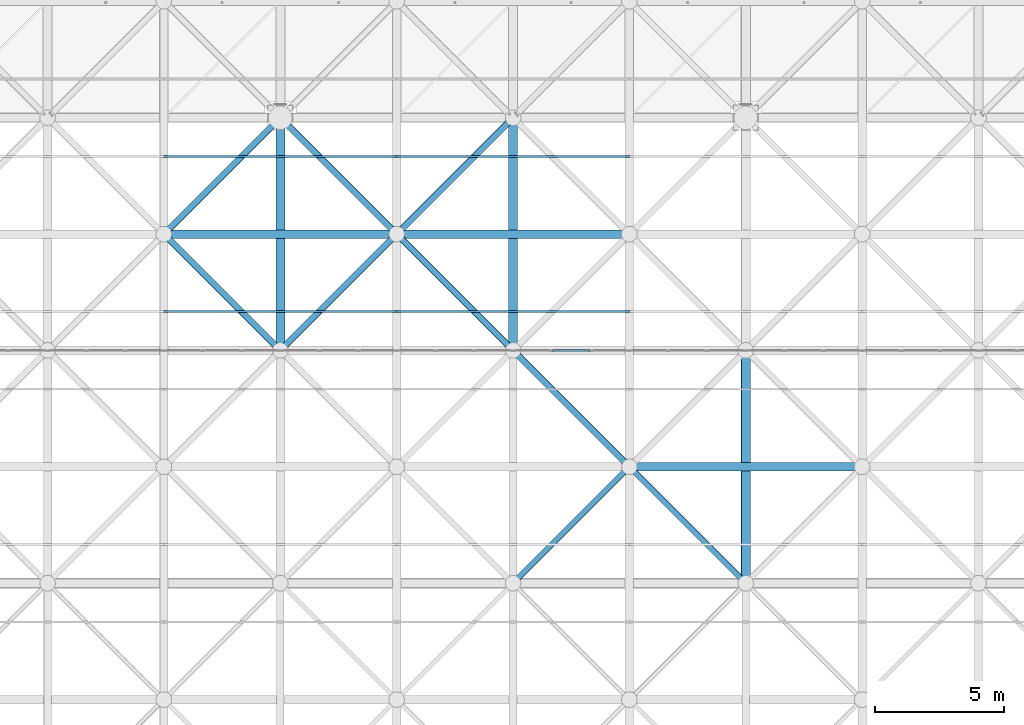
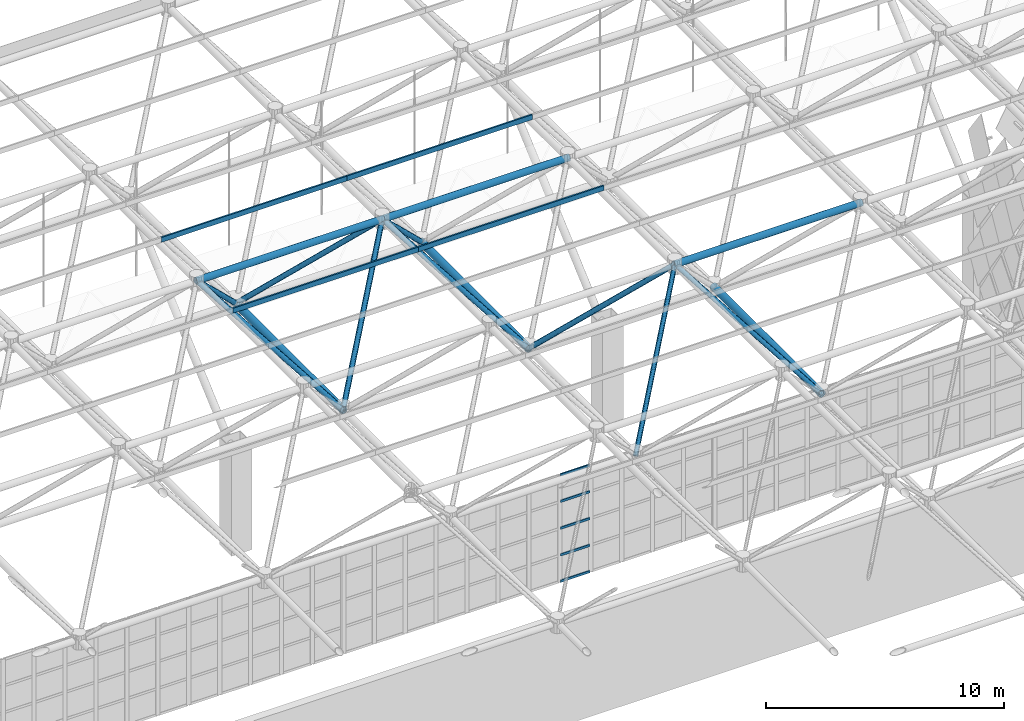
# One storey, part 173 of 437: 24 members, 1 element without a shape of its own.
"""IFC4 building model written with IfcOpenShell, lengths in metres."""

from ifc_helpers import new_model, si_unit, direction, frame, origin, origin_2d, place, context, subcontext, project, spatial, polyline, hollow_rectangle, hollow_circle, outline, extrude, material, layer, layer_set, material_profile, profile_set, type_object, element, aggregate, save


model = new_model("IFC4")

# Units and contexts
model_context = context("Model", 3, precision=1e-05, world=origin(), true_north=direction((0.0, 1.0)))
body_context = subcontext(model_context, "Body", "Model", "MODEL_VIEW")
ifc_project = project(units=[si_unit("LENGTHUNIT", "METRE"), si_unit("AREAUNIT", "SQUARE_METRE"), si_unit("VOLUMEUNIT", "CUBIC_METRE"), si_unit("PLANEANGLEUNIT", "RADIAN"), si_unit("MASSUNIT", "GRAM", prefix="KILO")], contexts=[model_context])

# Site, building, storey
site_placement = place(None, origin())
site = spatial("IfcSite", under=ifc_project, at=site_placement, CompositionType="ELEMENT")
building_placement = place(site_placement, origin())
building = spatial("IfcBuilding", under=site, at=building_placement, Name="Opaline Strait Convention Centre", CompositionType="ELEMENT")
storey_placement = place(building_placement, frame((0.0, 0.0, 11.5)))
storey = spatial("IfcBuildingStorey", under=building, at=storey_placement, Name="L02", CompositionType="ELEMENT", Elevation=11.5)

# Curtain wall, members
ifc_material_1 = material(Name="Aluminium framed glazing", Category="aluminium")
ifc_layer = layer(ifc_material_1, 0.199951171875)
ifc_layer_set = layer_set([ifc_layer], Name="Aluminium framed glazing")
curtain_wall_type = type_object("IfcCurtainWallType", Name="Entrance curtain wall 1500", PredefinedType="NOTDEFINED", material=ifc_layer_set)
curtain_wall_placement = place(storey_placement, origin())
curtain_wall = element("IfcCurtainWall", 1, at=curtain_wall_placement, inside=storey, type_object=curtain_wall_type, Name="Entrance curtain wall L02-R2", PredefinedType="NOTDEFINED")
ifc_material_2 = material(Name="Aluminium alloy 6063", Category="aluminium")
ifc_material_profile_1 = material_profile(ifc_material_2, hollow_rectangle(XDim=0.06005859375, YDim=0.1201171875, WallThickness=0.0029296875, at=origin_2d()), Name="TRANSOM 60x120x3")
ifc_profile_set_1 = profile_set([ifc_material_profile_1], Name="Aluminium alloy 6063")
member_type_1 = type_object("IfcMemberType", Name="Curtain wall transom 60 x 120", PredefinedType="USERDEFINED", material=ifc_profile_set_1)
member_1_placement = place(storey_placement, frame((181.530029296875, 144.0, 0.030029296875), z_axis=(1.0, 0.0, 0.0), x_axis=(0.0, 1.0, 0.0)))
member_1 = element("IfcMember", 2, at=member_1_placement, type_object=member_type_1, Name="XCW transom 8.1", ObjectType="TRANSOM", PredefinedType="USERDEFINED", context=body_context, shape_type="SweptSolid", body=[
    extrude(hollow_rectangle(XDim=0.06005859375, YDim=0.1201171875, WallThickness=0.0029296875, at=origin_2d()), origin(), (0.0, 0.0, 1.0), 1.43994140625),
])
member_2_placement = place(storey_placement, frame((181.530029296875, 144.0, 1.375), z_axis=(1.0, 0.0, 0.0), x_axis=(0.0, 1.0, 0.0)))
member_2 = element("IfcMember", 3, at=member_2_placement, type_object=member_type_1, Name="XCW transom 8.2", ObjectType="TRANSOM", PredefinedType="USERDEFINED", context=body_context, shape_type="SweptSolid", body=[
    extrude(hollow_rectangle(XDim=0.06005859375, YDim=0.1201171875, WallThickness=0.0029296875, at=origin_2d()), origin(), (0.0, 0.0, 1.0), 1.43994140625),
])
member_3_placement = place(storey_placement, frame((181.530029296875, 144.0, 2.75), z_axis=(1.0, 0.0, 0.0), x_axis=(0.0, 1.0, 0.0)))
member_3 = element("IfcMember", 4, at=member_3_placement, type_object=member_type_1, Name="XCW transom 8.3", ObjectType="TRANSOM", PredefinedType="USERDEFINED", context=body_context, shape_type="SweptSolid", body=[
    extrude(hollow_rectangle(XDim=0.06005859375, YDim=0.1201171875, WallThickness=0.0029296875, at=origin_2d()), origin(), (0.0, 0.0, 1.0), 1.43994140625),
])
member_4_placement = place(storey_placement, frame((181.530029296875, 144.0, 4.125), z_axis=(1.0, 0.0, 0.0), x_axis=(0.0, 1.0, 0.0)))
member_4 = element("IfcMember", 5, at=member_4_placement, type_object=member_type_1, Name="XCW transom 8.4", ObjectType="TRANSOM", PredefinedType="USERDEFINED", context=body_context, shape_type="SweptSolid", body=[
    extrude(hollow_rectangle(XDim=0.06005859375, YDim=0.1201171875, WallThickness=0.0029296875, at=origin_2d()), origin(), (0.0, 0.0, 1.0), 1.43994140625),
])
member_5_placement = place(storey_placement, frame((181.530029296875, 144.0, 5.469970703125), z_axis=(1.0, 0.0, 0.0), x_axis=(0.0, 1.0, 0.0)))
member_5 = element("IfcMember", 6, at=member_5_placement, type_object=member_type_1, Name="XCW transom 8.5", ObjectType="TRANSOM", PredefinedType="USERDEFINED", context=body_context, shape_type="SweptSolid", body=[
    extrude(hollow_rectangle(XDim=0.06005859375, YDim=0.1201171875, WallThickness=0.0029296875, at=origin_2d()), origin(), (0.0, 0.0, 1.0), 1.43994140625),
])
aggregate(curtain_wall, [member_1, member_2, member_3, member_4, member_5])

# Members
ifc_material_3 = material(Name="Steel Q355B", Category="steel")
ifc_material_profile_2 = material_profile(ifc_material_3, outline(polyline([(-0.03759765625, -0.125), (0.03759765625, -0.125), (0.03759765625, -0.10498046875), (0.034912109375, -0.10498046875), (0.034912109375, -0.12255859375), (-0.034912109375, -0.12255859375), (-0.034912109375, 0.12255859375), (0.034912109375, 0.12255859375), (0.034912109375, 0.10498046875), (0.03759765625, 0.10498046875), (0.03759765625, 0.125), (-0.03759765625, 0.125), (-0.03759765625, -0.125)])), Name="C 250x75x20x2.5")
ifc_profile_set_2 = profile_set([ifc_material_profile_2], Name="Steel Q355B")
member_type_2 = type_object("IfcMemberType", Name="Roof purlin C 250x75x20x2.5", PredefinedType="PURLIN", material=ifc_profile_set_2)
for number, where, z_axis, x_axis, name in (
    (7, (166.5, 145.5, 18.257080078125), (1.0, 0.0, 0.0), (0.0, 1.0, 0.0), "EXB-RF-P-9-11-1"),
    (8, (175.5, 145.5, 18.257080078125), (1.0, 0.0, 0.0), (0.0, 1.0, 0.0), "EXB-RF-P-10-11-1"),
    (9, (166.5, 151.5, 18.257080078125), (1.0, 0.0, 0.0), (0.0, 1.0, 0.0), "EXB-RF-P-9-12-0"),
    (10, (175.5, 151.5, 18.257080078125), (1.0, 0.0, 0.0), (0.0, 1.0, 0.0), "EXB-RF-P-10-12-0"),
):
    element("IfcMember", number, at=place(storey_placement, frame(where, z_axis=z_axis, x_axis=x_axis)), inside=storey, type_object=member_type_2, Name=name, PredefinedType="PURLIN", context=body_context, shape_type="SweptSolid", body=[
        extrude(outline(polyline([(-0.03759765625, -0.125), (0.03759765625, -0.125), (0.03759765625, -0.10498046875), (0.034912109375, -0.10498046875), (0.034912109375, -0.12255859375), (-0.034912109375, -0.12255859375), (-0.034912109375, 0.12255859375), (0.034912109375, 0.12255859375), (0.034912109375, 0.10498046875), (0.03759765625, 0.10498046875), (0.03759765625, 0.125), (-0.03759765625, 0.125), (-0.03759765625, -0.125)])), origin(), (0.0, 0.0, 1.0), 9.0),
    ])
ifc_material_profile_3 = material_profile(ifc_material_3, hollow_circle(Radius=0.175537109375, WallThickness=0.01611328125, at=origin_2d()), Name="CHS 351x16")
ifc_profile_set_3 = profile_set([ifc_material_profile_3], Name="Steel Q355B")
member_type_3 = type_object("IfcMemberType", Name="Space frame bottom chord CHS 351x16", PredefinedType="CHORD", material=ifc_profile_set_3)
for number, where, z_axis, x_axis, name in (
    (11, (171.0, 143.949951171875, 12.5), (0.0, 1.0, 0.0), (-1.0, 0.0, 0.0), "EXB-RF-BY-9-11"),
    (12, (180.0, 143.949951171875, 12.5), (0.0, 1.0, 0.0), (-1.0, 0.0, 0.0), "EXB-RF-BY-10-11"),
    (13, (189.0, 134.949951171875, 12.5), (0.0, 1.0, 0.0), (-1.0, 0.0, 0.0), "EXB-RF-BY-11-10"),
):
    element("IfcMember", number, at=place(storey_placement, frame(where, z_axis=z_axis, x_axis=x_axis)), inside=storey, type_object=member_type_3, Name=name, PredefinedType="CHORD", context=body_context, shape_type="SweptSolid", body=[
        extrude(hollow_circle(Radius=0.175537109375, WallThickness=0.01611328125, at=origin_2d()), origin(), (0.0, 0.0, 1.0), 9.10009765625),
    ])
ifc_material_profile_4 = material_profile(ifc_material_3, hollow_circle(Radius=0.16259765625, WallThickness=0.02001953125, at=origin_2d()), Name="CHS 325x20")
ifc_profile_set_4 = profile_set([ifc_material_profile_4], Name="Steel Q355B")
member_type_4 = type_object("IfcMemberType", Name="Space frame top chord CHS 325x20", PredefinedType="CHORD", material=ifc_profile_set_4)
for number, where, z_axis, x_axis, name in (
    (14, (184.449951171875, 139.5, 17.971435546875), (1.0, 0.0, 0.0), (0.0, 1.0, 0.0), "EXB-RF-TX-11-11"),
    (15, (166.449951171875, 148.5, 17.971435546875), (1.0, 0.0, 0.0), (0.0, 1.0, 0.0), "EXB-RF-TX-9-12"),
    (16, (175.449951171875, 148.5, 17.971435546875), (1.0, 0.0, 0.0), (0.0, 1.0, 0.0), "EXB-RF-TX-10-12"),
):
    element("IfcMember", number, at=place(storey_placement, frame(where, z_axis=z_axis, x_axis=x_axis)), inside=storey, type_object=member_type_4, Name=name, PredefinedType="CHORD", context=body_context, shape_type="SweptSolid", body=[
        extrude(hollow_circle(Radius=0.16259765625, WallThickness=0.02001953125, at=origin_2d()), origin(), (0.0, 0.0, 1.0), 9.10009765625),
    ])
ifc_material_profile_5 = material_profile(ifc_material_3, hollow_circle(Radius=0.109619140625, WallThickness=0.010009765625, at=origin_2d()), Name="CHS 219x10")
ifc_profile_set_5 = profile_set([ifc_material_profile_5], Name="Steel Q355B")
member_type_5 = type_object("IfcMemberType", Name="Space frame web CHS 219x10", PredefinedType="BRACE", material=ifc_profile_set_5)
for number, where, z_axis, x_axis, name in (
    (17, (184.52685546875, 139.52685546875, 18.004150390625), (-0.536178220346, -0.536178220346, -0.6519400525), (0.707106781187, -0.707106781187, 0.0), "EXB-RF-W-10-10-11"),
    (18, (184.47314453125, 139.52685546875, 18.004150390625), (0.536178220346, -0.536178220346, -0.6519400525), (0.707106781187, 0.707106781187, 0.0), "EXB-RF-W-11-10-01"),
):
    element("IfcMember", number, at=place(storey_placement, frame(where, z_axis=z_axis, x_axis=x_axis)), inside=storey, type_object=member_type_5, Name=name, PredefinedType="BRACE", context=body_context, shape_type="SweptSolid", body=[
        extrude(hollow_circle(Radius=0.109619140625, WallThickness=0.010009765625, at=origin_2d()), origin(), (0.0, 0.0, 1.0), 8.492919921875),
    ])
ifc_material_profile_6 = material_profile(ifc_material_3, hollow_circle(Radius=0.12255859375, WallThickness=0.011962890625, at=origin_2d()), Name="CHS 245x12")
ifc_profile_set_6 = profile_set([ifc_material_profile_6], Name="Steel Q355B")
member_type_6 = type_object("IfcMemberType", Name="Space frame web CHS 245x12", PredefinedType="BRACE", material=ifc_profile_set_6)
for number, where, z_axis, x_axis, name in (
    (19, (166.47314453125, 148.52685546875, 18.004150390625), (0.536178220346, -0.536178220346, -0.6519400525), (0.707106781187, 0.707106781187, 0.0), "EXB-RF-W-9-11-01"),
    (20, (175.52685546875, 148.52685546875, 18.004150390625), (-0.536178220346, -0.536178220346, -0.6519400525), (0.707106781187, -0.707106781187, 0.0), "EXB-RF-W-9-11-11"),
    (21, (166.47314453125, 148.47314453125, 18.004150390625), (0.536178220346, 0.536178220346, -0.6519400525), (-0.707106781187, 0.707106781187, 0.0), "EXB-RF-W-9-12-00"),
    (22, (175.52685546875, 148.47314453125, 18.004150390625), (-0.536178220346, 0.536178220346, -0.6519400525), (-0.707106781187, -0.707106781187, 0.0), "EXB-RF-W-9-12-10"),
    (23, (175.47314453125, 148.52685546875, 18.004150390625), (0.536178220346, -0.536178220346, -0.6519400525), (0.707106781187, 0.707106781187, 0.0), "EXB-RF-W-10-11-01"),
    (24, (184.52685546875, 139.47314453125, 18.004150390625), (-0.536178220346, 0.536178220346, -0.6519400525), (-0.707106781187, -0.707106781187, 0.0), "EXB-RF-W-10-11-10"),
    (25, (175.47314453125, 148.47314453125, 18.004150390625), (0.536178220346, 0.536178220346, -0.6519400525), (-0.707106781187, 0.707106781187, 0.0), "EXB-RF-W-10-12-00"),
):
    element("IfcMember", number, at=place(storey_placement, frame(where, z_axis=z_axis, x_axis=x_axis)), inside=storey, type_object=member_type_6, Name=name, PredefinedType="BRACE", context=body_context, shape_type="SweptSolid", body=[
        extrude(hollow_circle(Radius=0.12255859375, WallThickness=0.011962890625, at=origin_2d()), origin(), (0.0, 0.0, 1.0), 8.492919921875),
    ])

save(model, "model.ifc")
